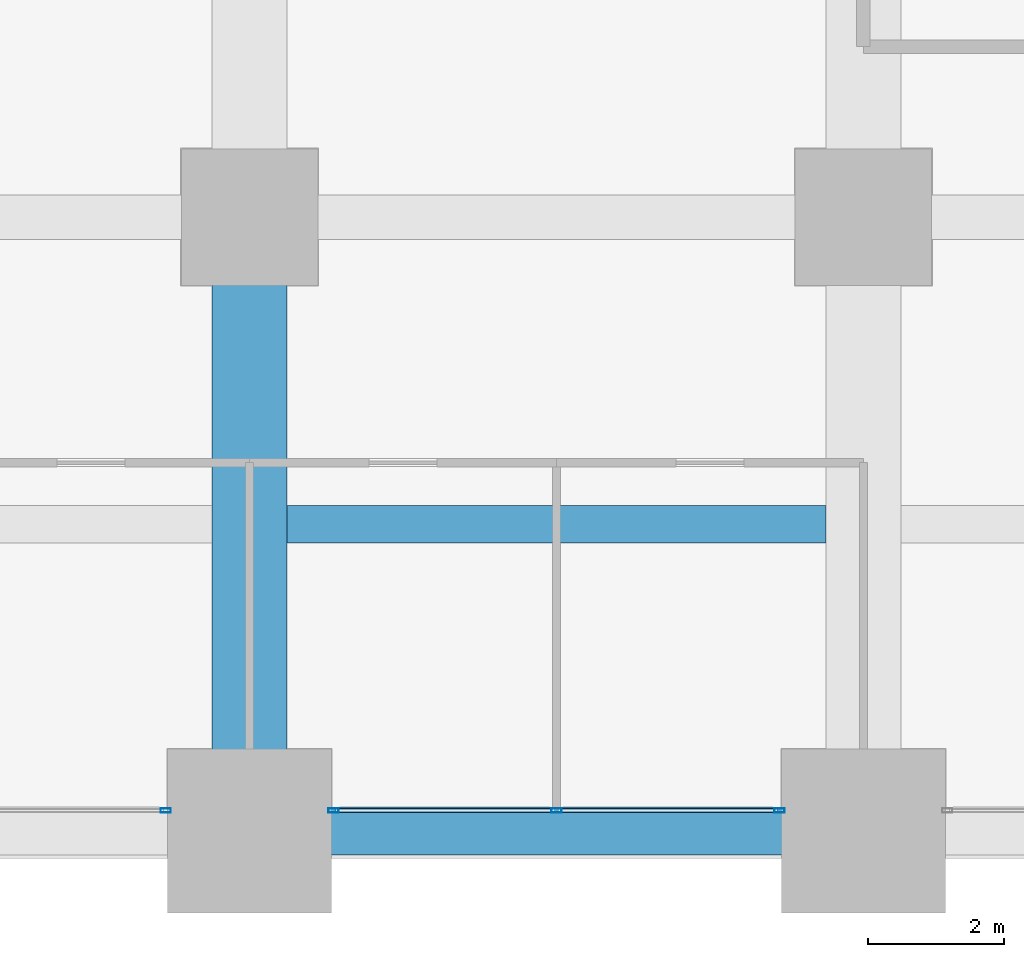
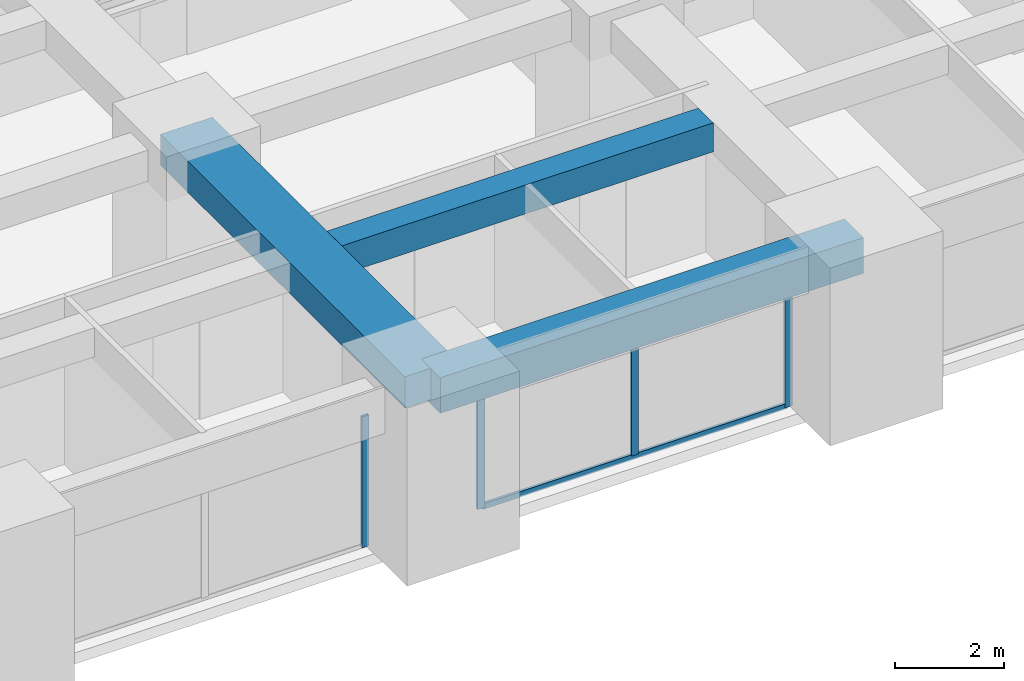
# One storey, part 6 of 41: 5 members, 3 beams, 2 elements without a shape of their own.
"""IFC4 building model written with IfcOpenShell, lengths in metres."""

from ifc_helpers import new_model, si_unit, direction, frame, origin, origin_2d, place, context, subcontext, project, spatial, rectangle, hollow_rectangle, extrude, material, material_profile, profile_set, type_object, element, aggregate, save


model = new_model("IFC4")

# Units and contexts
model_context = context("Model", 3, precision=1e-05, world=origin(), true_north=direction((0.0, 1.0)))
body_context = subcontext(model_context, "Body", "Model", "MODEL_VIEW")
ifc_project = project(units=[si_unit("LENGTHUNIT", "METRE"), si_unit("AREAUNIT", "SQUARE_METRE"), si_unit("VOLUMEUNIT", "CUBIC_METRE"), si_unit("PLANEANGLEUNIT", "RADIAN"), si_unit("MASSUNIT", "GRAM", prefix="KILO")], contexts=[model_context])

# Site, building, storey
site_placement = place(None, origin())
site = spatial("IfcSite", under=ifc_project, at=site_placement, CompositionType="ELEMENT")
building_placement = place(site_placement, origin())
building = spatial("IfcBuilding", under=site, at=building_placement, Name="Zorevar Civic Tower", CompositionType="ELEMENT")
storey_placement = place(building_placement, frame((0.0, 0.0, 101.0)))
storey = spatial("IfcBuildingStorey", under=building, at=storey_placement, Name="L24", CompositionType="ELEMENT", Elevation=101.0)

# Beams
ifc_material_1 = material(Name="Concrete C50/60", Category="concrete")
ifc_material_profile_1 = material_profile(ifc_material_1, rectangle(XDim=1.10009765625, YDim=0.699951171875, at=origin_2d()), Name="RC 1100x700")
ifc_profile_set_1 = profile_set([ifc_material_profile_1], Name="Concrete C50/60")
beam_type_1 = type_object("IfcBeamType", Name="Beam RC 1100x700", PredefinedType="BEAM", material=ifc_profile_set_1)
beam_1_placement = place(storey_placement, frame((18.0, 0.0, 3.39990234375), z_axis=(0.0, 1.0, 0.0), x_axis=(-1.0, 0.0, 0.0)))
element("IfcBeam", 1, at=beam_1_placement, inside=storey, type_object=beam_type_1, Name="Girder L25", PredefinedType="BEAM", context=body_context, shape_type="SweptSolid", body=[
    extrude(rectangle(XDim=1.10009765625, YDim=0.699951171875, at=origin_2d()), origin(), (0.0, 0.0, 1.0), 9.0),
])
ifc_material_2 = material(Name="Concrete C50/60", Category="concrete")
ifc_material_profile_2 = material_profile(ifc_material_2, rectangle(XDim=0.550048828125, YDim=0.64990234375, at=origin_2d()), Name="RC 550x650")
ifc_profile_set_2 = profile_set([ifc_material_profile_2], Name="Concrete C50/60")
beam_type_2 = type_object("IfcBeamType", Name="Beam RC 550x650", PredefinedType="BEAM", material=ifc_profile_set_2)
beam_2_placement = place(storey_placement, frame((18.550048828125, 4.5, 3.425048828125), z_axis=(1.0, 0.0, 0.0), x_axis=(0.0, 1.0, 0.0)))
element("IfcBeam", 2, at=beam_2_placement, inside=storey, type_object=beam_type_2, Name="Secondary beam L25", PredefinedType="BEAM", context=body_context, shape_type="SweptSolid", body=[
    extrude(rectangle(XDim=0.550048828125, YDim=0.64990234375, at=origin_2d()), origin(), (0.0, 0.0, 1.0), 7.89990234375),
])

# Curtain wall, member
ifc_material_3 = material(Name="Dark grey solar-control glass in black aluminium frame", Category="aluminium")
curtain_wall_type = type_object("IfcCurtainWallType", Name="Curtain wall CW3 mid zone", PredefinedType="NOTDEFINED", material=ifc_material_3)
curtain_wall_1_placement = place(storey_placement, origin())
curtain_wall_1 = element("IfcCurtainWall", 3, at=curtain_wall_1_placement, inside=storey, type_object=curtain_wall_type, Name="CW3 L24", PredefinedType="NOTDEFINED")
ifc_material_4 = material(Name="Aluminium, black anodised", Category="aluminium")
ifc_material_profile_3 = material_profile(ifc_material_4, hollow_rectangle(XDim=0.06005859375, YDim=0.14990234375, WallThickness=0.00390625, at=origin_2d()), Name="AL 150x60x4")
ifc_profile_set_3 = profile_set([ifc_material_profile_3], Name="Aluminium, black anodised")
member_type_1 = type_object("IfcMemberType", Name="CW3 mullion AL 150x60x4", PredefinedType="MULLION", material=ifc_profile_set_3)
member_1_placement = place(storey_placement, frame((16.77001953125, 0.300048828125, 0.0), z_axis=(0.0, 0.0, 1.0), x_axis=(0.0, 1.0, 0.0)))
member_1 = element("IfcMember", 4, at=member_1_placement, type_object=member_type_1, Name="CW3 mullion 3", PredefinedType="MULLION", context=body_context, shape_type="SweptSolid", body=[
    extrude(hollow_rectangle(XDim=0.06005859375, YDim=0.14990234375, WallThickness=0.00390625, at=origin_2d()), origin(), (0.0, 0.0, 1.0), 2.949951171875),
])
aggregate(curtain_wall_1, [member_1])

# Curtain wall, members
curtain_wall_2_placement = place(storey_placement, origin())
curtain_wall_2 = element("IfcCurtainWall", 5, at=curtain_wall_2_placement, inside=storey, type_object=curtain_wall_type, Name="CW3 L24", PredefinedType="NOTDEFINED")
member_2_placement = place(storey_placement, frame((19.22998046875, 0.300048828125, 0.0), z_axis=(0.0, 0.0, 1.0), x_axis=(0.0, 1.0, 0.0)))
member_2 = element("IfcMember", 6, at=member_2_placement, type_object=member_type_1, Name="CW3 mullion 1", PredefinedType="MULLION", context=body_context, shape_type="SweptSolid", body=[
    extrude(hollow_rectangle(XDim=0.06005859375, YDim=0.14990234375, WallThickness=0.00390625, at=origin_2d()), origin(), (0.0, 0.0, 1.0), 2.949951171875),
])
member_3_placement = place(storey_placement, frame((22.5, 0.300048828125, 0.06005859375), z_axis=(0.0, 0.0, 1.0), x_axis=(0.0, 1.0, 0.0)))
member_3 = element("IfcMember", 7, at=member_3_placement, type_object=member_type_1, Name="CW3 mullion 2", PredefinedType="MULLION", context=body_context, shape_type="SweptSolid", body=[
    extrude(hollow_rectangle(XDim=0.06005859375, YDim=0.14990234375, WallThickness=0.00390625, at=origin_2d()), origin(), (0.0, 0.0, 1.0), 2.889892578125),
])
member_4_placement = place(storey_placement, frame((25.77001953125, 0.300048828125, 0.0), z_axis=(0.0, 0.0, 1.0), x_axis=(0.0, 1.0, 0.0)))
member_4 = element("IfcMember", 8, at=member_4_placement, type_object=member_type_1, Name="CW3 mullion 3", PredefinedType="MULLION", context=body_context, shape_type="SweptSolid", body=[
    extrude(hollow_rectangle(XDim=0.06005859375, YDim=0.14990234375, WallThickness=0.00390625, at=origin_2d()), origin(), (0.0, 0.0, 1.0), 2.949951171875),
])
ifc_material_5 = material(Name="Aluminium, black anodised", Category="aluminium")
ifc_material_profile_4 = material_profile(ifc_material_5, hollow_rectangle(XDim=0.06005859375, YDim=0.1201171875, WallThickness=0.0029296875, at=origin_2d()), Name="AL 120x60x3")
ifc_profile_set_4 = profile_set([ifc_material_profile_4], Name="Aluminium, black anodised")
member_type_2 = type_object("IfcMemberType", Name="CW3 transom AL 120x60x3", PredefinedType="USERDEFINED", material=ifc_profile_set_4)
member_5_placement = place(storey_placement, frame((19.260009765625, 0.300048828125, 0.030029296875), z_axis=(1.0, 0.0, 0.0), x_axis=(0.0, 1.0, 0.0)))
member_5 = element("IfcMember", 9, at=member_5_placement, type_object=member_type_2, Name="CW3 sill transom", ObjectType="TRANSOM", PredefinedType="USERDEFINED", context=body_context, shape_type="SweptSolid", body=[
    extrude(hollow_rectangle(XDim=0.06005859375, YDim=0.1201171875, WallThickness=0.0029296875, at=origin_2d()), origin(), (0.0, 0.0, 1.0), 6.47998046875),
])
aggregate(curtain_wall_2, [member_2, member_3, member_4, member_5])

# Beam
ifc_material_6 = material(Name="Concrete C50/60", Category="concrete")
ifc_material_profile_5 = material_profile(ifc_material_6, rectangle(XDim=0.699951171875, YDim=0.800048828125, at=origin_2d()), Name="RC 700x800")
ifc_profile_set_5 = profile_set([ifc_material_profile_5], Name="Concrete C50/60")
beam_type_3 = type_object("IfcBeamType", Name="Edge beam RC 700x800", PredefinedType="SPANDREL", material=ifc_profile_set_5)
beam_3_placement = place(storey_placement, frame((18.0, 0.0, 3.35009765625), z_axis=(1.0, 0.0, 0.0), x_axis=(0.0, 1.0, 0.0)))
element("IfcBeam", 10, at=beam_3_placement, inside=storey, type_object=beam_type_3, Name="Edge beam L25", PredefinedType="SPANDREL", context=body_context, shape_type="SweptSolid", body=[
    extrude(rectangle(XDim=0.699951171875, YDim=0.800048828125, at=origin_2d()), origin(), (0.0, 0.0, 1.0), 9.0),
])

save(model, "model.ifc")
